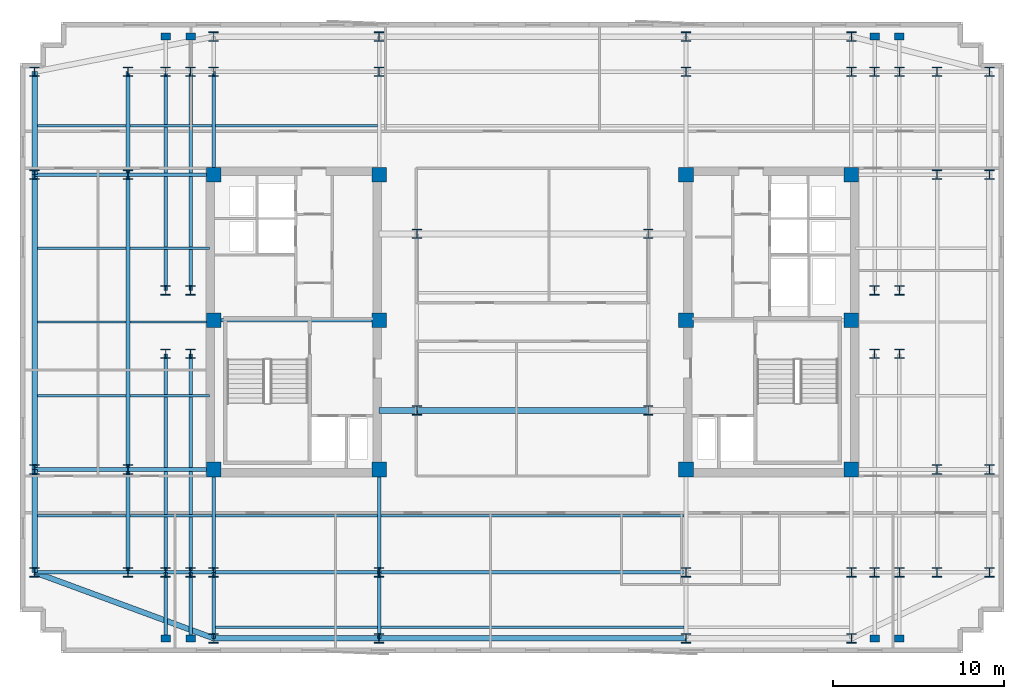
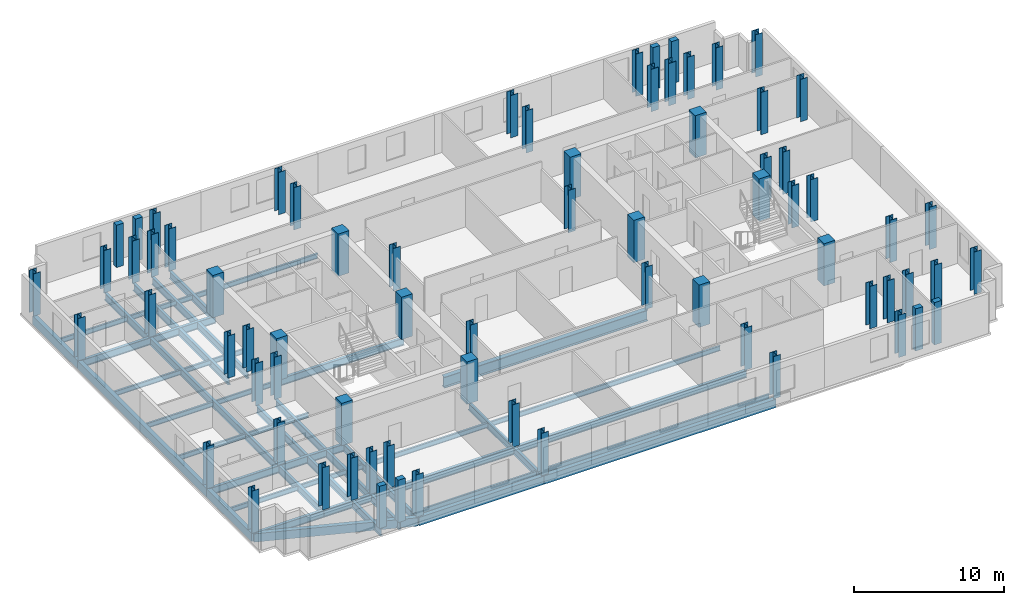
# One storey, part 1 of 9: 72 columns, 46 beams.
"""IFC4 building model written with IfcOpenShell, lengths in metres."""

from ifc_helpers import new_model, si_unit, direction, frame, origin, origin_2d, place, context, subcontext, project, spatial, rectangle, i_section, extrude, material, material_profile, profile_set, type_object, element, save


model = new_model("IFC4")

# Units and contexts
model_context = context("Model", 3, precision=1e-05, world=origin(), true_north=direction((0.0, 1.0)))
body_context = subcontext(model_context, "Body", "Model", "MODEL_VIEW")
ifc_project = project(units=[si_unit("LENGTHUNIT", "METRE"), si_unit("AREAUNIT", "SQUARE_METRE"), si_unit("VOLUMEUNIT", "CUBIC_METRE"), si_unit("PLANEANGLEUNIT", "RADIAN"), si_unit("MASSUNIT", "GRAM", prefix="KILO")], contexts=[model_context])

# Site, building, storey
site_placement = place(None, origin())
site = spatial("IfcSite", under=ifc_project, at=site_placement, CompositionType="ELEMENT")
building_placement = place(site_placement, origin())
building = spatial("IfcBuilding", under=site, at=building_placement, Name="Velakula Bourse", CompositionType="ELEMENT")
storey_placement = place(building_placement, frame((0.0, 0.0, 218.85009765625)))
storey = spatial("IfcBuildingStorey", under=building, at=storey_placement, Name="L59", CompositionType="ELEMENT", Elevation=218.85009765625)

# Columns
ifc_material_1 = material(Name="Concrete M50 (fck 50 MPa)", Category="concrete")
ifc_material_profile_1 = material_profile(ifc_material_1, rectangle(XDim=0.85009765625, YDim=0.85009765625, at=origin_2d()), Name="Concrete M50 (fck 50 MPa)")
ifc_profile_set_1 = profile_set([ifc_material_profile_1], Name="Concrete M50 (fck 50 MPa)")
column_type_1 = type_object("IfcColumnType", Name="COL-RC-850", PredefinedType="COLUMN", material=ifc_profile_set_1)
for number, where, z_axis, x_axis, name in (
    (1, (-8.949951171875, -8.60009765625, 0.0), (0.0, 0.0, 1.0), (1.0, 0.0, 0.0), "L59 Core Boundary Column 01"),
    (2, (-8.949951171875, 0.10009765625, 0.0), (0.0, 0.0, 1.0), (1.0, 0.0, 0.0), "L59 Core Boundary Column 02"),
    (3, (-8.949951171875, 8.60009765625, 0.0), (0.0, 0.0, 1.0), (1.0, 0.0, 0.0), "L59 Core Boundary Column 03"),
    (4, (-18.60009765625, -8.60009765625, 0.0), (0.0, 0.0, 1.0), (1.0, 0.0, 0.0), "L59 Core Boundary Column 04"),
    (5, (-18.60009765625, 0.10009765625, 0.0), (0.0, 0.0, 1.0), (1.0, 0.0, 0.0), "L59 Core Boundary Column 05"),
    (6, (-18.60009765625, 8.60009765625, 0.0), (0.0, 0.0, 1.0), (1.0, 0.0, 0.0), "L59 Core Boundary Column 06"),
    (7, (8.949951171875, -8.60009765625, 0.0), (0.0, 0.0, 1.0), (1.0, 0.0, 0.0), "L59 Core Boundary Column 07"),
    (8, (8.949951171875, 0.10009765625, 0.0), (0.0, 0.0, 1.0), (1.0, 0.0, 0.0), "L59 Core Boundary Column 08"),
    (9, (8.949951171875, 8.60009765625, 0.0), (0.0, 0.0, 1.0), (1.0, 0.0, 0.0), "L59 Core Boundary Column 09"),
    (10, (18.60009765625, -8.60009765625, 0.0), (0.0, 0.0, 1.0), (1.0, 0.0, 0.0), "L59 Core Boundary Column 10"),
    (11, (18.60009765625, 0.10009765625, 0.0), (0.0, 0.0, 1.0), (1.0, 0.0, 0.0), "L59 Core Boundary Column 11"),
    (12, (18.60009765625, 8.60009765625, 0.0), (0.0, 0.0, 1.0), (1.0, 0.0, 0.0), "L59 Core Boundary Column 12"),
):
    element("IfcColumn", number, at=place(storey_placement, frame(where, z_axis=z_axis, x_axis=x_axis)), inside=storey, type_object=column_type_1, Name=name, PredefinedType="COLUMN", context=body_context, shape_type="SweptSolid", body=[
        extrude(rectangle(XDim=0.85009765625, YDim=0.85009765625, at=origin_2d()), origin(), (0.0, 0.0, 1.0), 3.449951171875),
    ])
ifc_material_2 = material(Name="Steel IS 2062 Grade 350 (E350)", Category="steel")
ifc_material_profile_2 = material_profile(ifc_material_2, i_section(OverallWidth=0.550048828125, OverallDepth=0.550048828125, WebThickness=0.02392578125, FlangeThickness=0.035888671875, at=origin_2d()), Name="Steel IS 2062 Grade 350 (E350)")
ifc_profile_set_2 = profile_set([ifc_material_profile_2], Name="Steel IS 2062 Grade 350 (E350)")
column_type_2 = type_object("IfcColumnType", Name="COL-STL-550", PredefinedType="COLUMN", material=ifc_profile_set_2)
for number, where, z_axis, x_axis, name in (
    (13, (-6.75, -5.14990234375, 0.0), (0.0, 0.0, 1.0), (1.0, 0.0, 0.0), "L59 Central Spine Column 01"),
    (14, (-6.75, 5.14990234375, 0.0), (0.0, 0.0, 1.0), (1.0, 0.0, 0.0), "L59 Central Spine Column 02"),
    (15, (6.75, -5.14990234375, 0.0), (0.0, 0.0, 1.0), (1.0, 0.0, 0.0), "L59 Central Spine Column 03"),
    (16, (6.75, 5.14990234375, 0.0), (0.0, 0.0, 1.0), (1.0, 0.0, 0.0), "L59 Central Spine Column 04"),
    (17, (-21.39990234375, -14.60009765625, 0.0), (0.0, 0.0, 1.0), (1.0, 0.0, 0.0), "L59 Tower Fulcrum Column 01"),
    (18, (-21.39990234375, 14.60009765625, 0.0), (0.0, 0.0, 1.0), (1.0, 0.0, 0.0), "L59 Tower Fulcrum Column 02"),
    (19, (-19.949951171875, -14.60009765625, 0.0), (0.0, 0.0, 1.0), (1.0, 0.0, 0.0), "L59 Tower Fulcrum Column 03"),
    (20, (-19.949951171875, 14.60009765625, 0.0), (0.0, 0.0, 1.0), (1.0, 0.0, 0.0), "L59 Tower Fulcrum Column 04"),
    (21, (-18.60009765625, -14.60009765625, 0.0), (0.0, 0.0, 1.0), (1.0, 0.0, 0.0), "L59 Tower Fulcrum Column 05"),
    (22, (-18.60009765625, 14.60009765625, 0.0), (0.0, 0.0, 1.0), (1.0, 0.0, 0.0), "L59 Tower Fulcrum Column 06"),
    (23, (-8.949951171875, -14.60009765625, 0.0), (0.0, 0.0, 1.0), (1.0, 0.0, 0.0), "L59 Tower Fulcrum Column 07"),
    (24, (-8.949951171875, 14.60009765625, 0.0), (0.0, 0.0, 1.0), (1.0, 0.0, 0.0), "L59 Tower Fulcrum Column 08"),
    (25, (8.949951171875, -14.60009765625, 0.0), (0.0, 0.0, 1.0), (1.0, 0.0, 0.0), "L59 Tower Fulcrum Column 09"),
    (26, (8.949951171875, 14.60009765625, 0.0), (0.0, 0.0, 1.0), (1.0, 0.0, 0.0), "L59 Tower Fulcrum Column 10"),
    (27, (18.60009765625, -14.60009765625, 0.0), (0.0, 0.0, 1.0), (1.0, 0.0, 0.0), "L59 Tower Fulcrum Column 11"),
    (28, (18.60009765625, 14.60009765625, 0.0), (0.0, 0.0, 1.0), (1.0, 0.0, 0.0), "L59 Tower Fulcrum Column 12"),
    (29, (19.949951171875, -14.60009765625, 0.0), (0.0, 0.0, 1.0), (1.0, 0.0, 0.0), "L59 Tower Fulcrum Column 13"),
    (30, (19.949951171875, 14.60009765625, 0.0), (0.0, 0.0, 1.0), (1.0, 0.0, 0.0), "L59 Tower Fulcrum Column 14"),
    (31, (21.39990234375, -14.60009765625, 0.0), (0.0, 0.0, 1.0), (1.0, 0.0, 0.0), "L59 Tower Fulcrum Column 15"),
    (32, (21.39990234375, 14.60009765625, 0.0), (0.0, 0.0, 1.0), (1.0, 0.0, 0.0), "L59 Tower Fulcrum Column 16"),
    (33, (-21.39990234375, -1.85009765625, 0.0), (0.0, 0.0, 1.0), (1.0, 0.0, 0.0), "L59 Tower Fulcrum Column 17"),
    (34, (-21.39990234375, 1.85009765625, 0.0), (0.0, 0.0, 1.0), (1.0, 0.0, 0.0), "L59 Tower Fulcrum Column 18"),
    (35, (-19.949951171875, -1.85009765625, 0.0), (0.0, 0.0, 1.0), (1.0, 0.0, 0.0), "L59 Tower Fulcrum Column 19"),
    (36, (-19.949951171875, 1.85009765625, 0.0), (0.0, 0.0, 1.0), (1.0, 0.0, 0.0), "L59 Tower Fulcrum Column 20"),
    (37, (19.949951171875, -1.85009765625, 0.0), (0.0, 0.0, 1.0), (1.0, 0.0, 0.0), "L59 Tower Fulcrum Column 21"),
    (38, (19.949951171875, 1.85009765625, 0.0), (0.0, 0.0, 1.0), (1.0, 0.0, 0.0), "L59 Tower Fulcrum Column 22"),
    (39, (21.39990234375, -1.85009765625, 0.0), (0.0, 0.0, 1.0), (1.0, 0.0, 0.0), "L59 Tower Fulcrum Column 23"),
    (40, (21.39990234375, 1.85009765625, 0.0), (0.0, 0.0, 1.0), (1.0, 0.0, 0.0), "L59 Tower Fulcrum Column 24"),
    (41, (-23.60009765625, -14.60009765625, 0.0), (0.0, 0.0, 1.0), (1.0, 0.0, 0.0), "L59 Mid-Wing Plumb Column 01"),
    (42, (-23.60009765625, -8.60009765625, 0.0), (0.0, 0.0, 1.0), (1.0, 0.0, 0.0), "L59 Mid-Wing Plumb Column 02"),
    (43, (-23.60009765625, 8.60009765625, 0.0), (0.0, 0.0, 1.0), (1.0, 0.0, 0.0), "L59 Mid-Wing Plumb Column 03"),
    (44, (-23.60009765625, 14.60009765625, 0.0), (0.0, 0.0, 1.0), (1.0, 0.0, 0.0), "L59 Mid-Wing Plumb Column 04"),
    (45, (23.60009765625, -14.60009765625, 0.0), (0.0, 0.0, 1.0), (1.0, 0.0, 0.0), "L59 Mid-Wing Plumb Column 05"),
    (46, (23.60009765625, -8.60009765625, 0.0), (0.0, 0.0, 1.0), (1.0, 0.0, 0.0), "L59 Mid-Wing Plumb Column 06"),
    (47, (23.60009765625, 8.60009765625, 0.0), (0.0, 0.0, 1.0), (1.0, 0.0, 0.0), "L59 Mid-Wing Plumb Column 07"),
    (48, (23.60009765625, 14.60009765625, 0.0), (0.0, 0.0, 1.0), (1.0, 0.0, 0.0), "L59 Mid-Wing Plumb Column 08"),
    (49, (-18.60009765625, -18.449951171875, 0.0), (0.0, 0.0, 1.0), (1.0, 0.0, 0.0), "L59 Block B5 Perimeter Column S1"),
    (50, (-8.949951171875, -18.449951171875, 0.0), (0.0, 0.0, 1.0), (1.0, 0.0, 0.0), "L59 Block B5 Perimeter Column S2"),
    (51, (8.949951171875, -18.449951171875, 0.0), (0.0, 0.0, 1.0), (1.0, 0.0, 0.0), "L59 Block B5 Perimeter Column S3"),
    (52, (18.60009765625, -18.449951171875, 0.0), (0.0, 0.0, 1.0), (1.0, 0.0, 0.0), "L59 Block B5 Perimeter Column S4"),
    (53, (-18.60009765625, 16.64990234375, 0.0), (0.0, 0.0, 1.0), (1.0, 0.0, 0.0), "L59 Block B5 Perimeter Column N1"),
    (54, (-8.949951171875, 16.64990234375, 0.0), (0.0, 0.0, 1.0), (1.0, 0.0, 0.0), "L59 Block B5 Perimeter Column N2"),
    (55, (8.949951171875, 16.64990234375, 0.0), (0.0, 0.0, 1.0), (1.0, 0.0, 0.0), "L59 Block B5 Perimeter Column N3"),
    (56, (18.60009765625, 16.64990234375, 0.0), (0.0, 0.0, 1.0), (1.0, 0.0, 0.0), "L59 Block B5 Perimeter Column N4"),
    (57, (-29.050048828125, -14.60009765625, 0.0), (0.0, 0.0, 1.0), (1.0, 0.0, 0.0), "L59 Block B5 Perimeter Column W1"),
    (58, (-29.050048828125, -8.60009765625, 0.0), (0.0, 0.0, 1.0), (1.0, 0.0, 0.0), "L59 Block B5 Perimeter Column W2"),
    (59, (-29.050048828125, 8.60009765625, 0.0), (0.0, 0.0, 1.0), (1.0, 0.0, 0.0), "L59 Block B5 Perimeter Column W3"),
    (60, (-29.050048828125, 14.60009765625, 0.0), (0.0, 0.0, 1.0), (1.0, 0.0, 0.0), "L59 Block B5 Perimeter Column W4"),
    (61, (26.64990234375, -14.60009765625, 0.0), (0.0, 0.0, 1.0), (1.0, 0.0, 0.0), "L59 Block B5 Perimeter Column E1"),
    (62, (26.64990234375, -8.60009765625, 0.0), (0.0, 0.0, 1.0), (1.0, 0.0, 0.0), "L59 Block B5 Perimeter Column E2"),
    (63, (26.64990234375, 8.60009765625, 0.0), (0.0, 0.0, 1.0), (1.0, 0.0, 0.0), "L59 Block B5 Perimeter Column E3"),
    (64, (26.64990234375, 14.60009765625, 0.0), (0.0, 0.0, 1.0), (1.0, 0.0, 0.0), "L59 Block B5 Perimeter Column E4"),
):
    element("IfcColumn", number, at=place(storey_placement, frame(where, z_axis=z_axis, x_axis=x_axis)), inside=storey, type_object=column_type_2, Name=name, PredefinedType="COLUMN", context=body_context, shape_type="SweptSolid", body=[
        extrude(i_section(OverallWidth=0.550048828125, OverallDepth=0.550048828125, WebThickness=0.02392578125, FlangeThickness=0.035888671875, at=origin_2d()), origin(), (0.0, 0.0, 1.0), 3.449951171875),
    ])
ifc_material_3 = material(Name="Precast concrete M45 (fck 45 MPa)", Category="concrete")
ifc_material_profile_3 = material_profile(ifc_material_3, rectangle(XDim=0.550048828125, YDim=0.39990234375, at=origin_2d()), Name="Precast concrete M45 (fck 45 MPa)")
ifc_profile_set_3 = profile_set([ifc_material_profile_3], Name="Precast concrete M45 (fck 45 MPa)")
column_type_3 = type_object("IfcColumnType", Name="PIL-BRICK-550", PredefinedType="PILASTER", material=ifc_profile_set_3)
for number, where, z_axis, x_axis, name in (
    (65, (-21.39990234375, -18.449951171875, 0.0), (0.0, 0.0, 1.0), (1.0, 0.0, 0.0), "L59 Brick Pier Pilaster 01"),
    (66, (-19.949951171875, -18.449951171875, 0.0), (0.0, 0.0, 1.0), (1.0, 0.0, 0.0), "L59 Brick Pier Pilaster 02"),
    (67, (19.949951171875, -18.449951171875, 0.0), (0.0, 0.0, 1.0), (1.0, 0.0, 0.0), "L59 Brick Pier Pilaster 03"),
    (68, (21.39990234375, -18.449951171875, 0.0), (0.0, 0.0, 1.0), (1.0, 0.0, 0.0), "L59 Brick Pier Pilaster 04"),
    (69, (-21.39990234375, 16.64990234375, 0.0), (0.0, 0.0, 1.0), (1.0, 0.0, 0.0), "L59 Brick Pier Pilaster 05"),
    (70, (-19.949951171875, 16.64990234375, 0.0), (0.0, 0.0, 1.0), (1.0, 0.0, 0.0), "L59 Brick Pier Pilaster 06"),
    (71, (19.949951171875, 16.64990234375, 0.0), (0.0, 0.0, 1.0), (1.0, 0.0, 0.0), "L59 Brick Pier Pilaster 07"),
    (72, (21.39990234375, 16.64990234375, 0.0), (0.0, 0.0, 1.0), (1.0, 0.0, 0.0), "L59 Brick Pier Pilaster 08"),
):
    element("IfcColumn", number, at=place(storey_placement, frame(where, z_axis=z_axis, x_axis=x_axis)), inside=storey, type_object=column_type_3, Name=name, PredefinedType="PILASTER", context=body_context, shape_type="SweptSolid", body=[
        extrude(rectangle(XDim=0.550048828125, YDim=0.39990234375, at=origin_2d()), origin(), (0.0, 0.0, 1.0), 3.449951171875),
    ])

# Beams
ifc_material_profile_4 = material_profile(ifc_material_2, i_section(OverallWidth=0.2099609375, OverallDepth=0.60009765625, WebThickness=0.011962890625, FlangeThickness=0.020751953125, at=origin_2d()), Name="Steel IS 2062 Grade 350 (E350)")
ifc_profile_set_4 = profile_set([ifc_material_profile_4], Name="Steel IS 2062 Grade 350 (E350)")
beam_type_1 = type_object("IfcBeamType", Name="BM-GRD-600L", PredefinedType="BEAM", material=ifc_profile_set_4)
beam_1_placement = place(storey_placement, frame((-18.60009765625, 0.10009765625, -0.47998046875), z_axis=(1.0, 0.0, 0.0), x_axis=(0.0, 1.0, 0.0)))
element("IfcBeam", 73, at=beam_1_placement, inside=storey, type_object=beam_type_1, Name="L59 Primary Backbone Girder CRW-M", PredefinedType="BEAM", context=body_context, shape_type="SweptSolid", body=[
    extrude(i_section(OverallWidth=0.2099609375, OverallDepth=0.60009765625, WebThickness=0.011962890625, FlangeThickness=0.020751953125, at=origin_2d()), origin(), (0.0, 0.0, 1.0), 9.650146484375),
])
for number, where, z_axis, x_axis, name in (
    (74, (-18.60009765625, -14.60009765625, -0.47998046875), (0.0, 1.0, 0.0), (-1.0, 0.0, 0.0), "L59 Fulcrum Grid Girder FLC-WS"),
    (75, (-18.60009765625, 8.60009765625, -0.47998046875), (0.0, 1.0, 0.0), (-1.0, 0.0, 0.0), "L59 Fulcrum Grid Girder FLC-WN"),
    (76, (-8.949951171875, -14.60009765625, -0.47998046875), (0.0, 1.0, 0.0), (-1.0, 0.0, 0.0), "L59 Fulcrum Grid Girder FLC-WCS"),
):
    element("IfcBeam", number, at=place(storey_placement, frame(where, z_axis=z_axis, x_axis=x_axis)), inside=storey, type_object=beam_type_1, Name=name, PredefinedType="BEAM", context=body_context, shape_type="SweptSolid", body=[
        extrude(i_section(OverallWidth=0.2099609375, OverallDepth=0.60009765625, WebThickness=0.011962890625, FlangeThickness=0.020751953125, at=origin_2d()), origin(), (0.0, 0.0, 1.0), 6.0),
    ])
beam_2_placement = place(storey_placement, frame((-18.60009765625, -14.60009765625, -0.47998046875), z_axis=(1.0, 0.0, 0.0), x_axis=(0.0, 1.0, 0.0)))
element("IfcBeam", 77, at=beam_2_placement, inside=storey, type_object=beam_type_1, Name="L59 Fulcrum Grid Girder FLC-S1", PredefinedType="BEAM", context=body_context, shape_type="SweptSolid", body=[
    extrude(i_section(OverallWidth=0.2099609375, OverallDepth=0.60009765625, WebThickness=0.011962890625, FlangeThickness=0.020751953125, at=origin_2d()), origin(), (0.0, 0.0, 1.0), 9.650146484375),
])
beam_3_placement = place(storey_placement, frame((-8.949951171875, -14.60009765625, -0.47998046875), z_axis=(1.0, 0.0, 0.0), x_axis=(0.0, 1.0, 0.0)))
element("IfcBeam", 78, at=beam_3_placement, inside=storey, type_object=beam_type_1, Name="L59 Fulcrum Grid Girder FLC-S2", PredefinedType="BEAM", context=body_context, shape_type="SweptSolid", body=[
    extrude(i_section(OverallWidth=0.2099609375, OverallDepth=0.60009765625, WebThickness=0.011962890625, FlangeThickness=0.020751953125, at=origin_2d()), origin(), (0.0, 0.0, 1.0), 17.89990234375),
])
for number, where, z_axis, x_axis, name in (
    (79, (-21.39990234375, -14.60009765625, -0.47998046875), (0.0, 1.0, 0.0), (-1.0, 0.0, 0.0), "L59 Fulcrum Grid Girder FLC-PSW1"),
    (80, (-21.39990234375, 1.85009765625, -0.47998046875), (0.0, 1.0, 0.0), (-1.0, 0.0, 0.0), "L59 Fulcrum Grid Girder FLC-PNW1"),
    (81, (-19.949951171875, -14.60009765625, -0.47998046875), (0.0, 1.0, 0.0), (-1.0, 0.0, 0.0), "L59 Fulcrum Grid Girder FLC-PSW2"),
    (82, (-19.949951171875, 1.85009765625, -0.47998046875), (0.0, 1.0, 0.0), (-1.0, 0.0, 0.0), "L59 Fulcrum Grid Girder FLC-PNW2"),
):
    element("IfcBeam", number, at=place(storey_placement, frame(where, z_axis=z_axis, x_axis=x_axis)), inside=storey, type_object=beam_type_1, Name=name, PredefinedType="BEAM", context=body_context, shape_type="SweptSolid", body=[
        extrude(i_section(OverallWidth=0.2099609375, OverallDepth=0.60009765625, WebThickness=0.011962890625, FlangeThickness=0.020751953125, at=origin_2d()), origin(), (0.0, 0.0, 1.0), 12.75),
    ])
for number, where, z_axis, x_axis, name in (
    (83, (-23.60009765625, -14.60009765625, -0.47998046875), (1.0, 0.0, 0.0), (0.0, 1.0, 0.0), "L59 Fulcrum Grid Girder MWG-WS1"),
    (84, (-23.60009765625, -8.60009765625, -0.47998046875), (1.0, 0.0, 0.0), (0.0, 1.0, 0.0), "L59 Fulcrum Grid Girder MWG-WS2"),
    (85, (-23.60009765625, 8.60009765625, -0.47998046875), (1.0, 0.0, 0.0), (0.0, 1.0, 0.0), "L59 Fulcrum Grid Girder MWG-WN1"),
):
    element("IfcBeam", number, at=place(storey_placement, frame(where, z_axis=z_axis, x_axis=x_axis)), inside=storey, type_object=beam_type_1, Name=name, PredefinedType="BEAM", context=body_context, shape_type="SweptSolid", body=[
        extrude(i_section(OverallWidth=0.2099609375, OverallDepth=0.60009765625, WebThickness=0.011962890625, FlangeThickness=0.020751953125, at=origin_2d()), origin(), (0.0, 0.0, 1.0), 5.0),
    ])
beam_4_placement = place(storey_placement, frame((-23.60009765625, -14.60009765625, -0.47998046875), z_axis=(0.0, 1.0, 0.0), x_axis=(-1.0, 0.0, 0.0)))
element("IfcBeam", 86, at=beam_4_placement, inside=storey, type_object=beam_type_1, Name="L59 Fulcrum Grid Girder MWG-WNS1", PredefinedType="BEAM", context=body_context, shape_type="SweptSolid", body=[
    extrude(i_section(OverallWidth=0.2099609375, OverallDepth=0.60009765625, WebThickness=0.011962890625, FlangeThickness=0.020751953125, at=origin_2d()), origin(), (0.0, 0.0, 1.0), 6.0),
])
beam_5_placement = place(storey_placement, frame((-23.60009765625, -8.60009765625, -0.47998046875), z_axis=(0.0, 1.0, 0.0), x_axis=(-1.0, 0.0, 0.0)))
element("IfcBeam", 87, at=beam_5_placement, inside=storey, type_object=beam_type_1, Name="L59 Fulcrum Grid Girder MWG-WNS2", PredefinedType="BEAM", context=body_context, shape_type="SweptSolid", body=[
    extrude(i_section(OverallWidth=0.2099609375, OverallDepth=0.60009765625, WebThickness=0.011962890625, FlangeThickness=0.020751953125, at=origin_2d()), origin(), (0.0, 0.0, 1.0), 17.2001953125),
])
beam_6_placement = place(storey_placement, frame((-23.60009765625, 8.60009765625, -0.47998046875), z_axis=(0.0, 1.0, 0.0), x_axis=(-1.0, 0.0, 0.0)))
element("IfcBeam", 88, at=beam_6_placement, inside=storey, type_object=beam_type_1, Name="L59 Fulcrum Grid Girder MWG-WNS3", PredefinedType="BEAM", context=body_context, shape_type="SweptSolid", body=[
    extrude(i_section(OverallWidth=0.2099609375, OverallDepth=0.60009765625, WebThickness=0.011962890625, FlangeThickness=0.020751953125, at=origin_2d()), origin(), (0.0, 0.0, 1.0), 6.0),
])
for number, where, z_axis, x_axis, name in (
    (89, (-18.60009765625, -14.60009765625, -0.47998046875), (0.0, -1.0, 0.0), (1.0, 0.0, 0.0), "L59 Perimeter Tie Girder S1"),
    (90, (-8.949951171875, -14.60009765625, -0.47998046875), (0.0, -1.0, 0.0), (1.0, 0.0, 0.0), "L59 Perimeter Tie Girder S2"),
):
    element("IfcBeam", number, at=place(storey_placement, frame(where, z_axis=z_axis, x_axis=x_axis)), inside=storey, type_object=beam_type_1, Name=name, PredefinedType="BEAM", context=body_context, shape_type="SweptSolid", body=[
        extrude(i_section(OverallWidth=0.2099609375, OverallDepth=0.60009765625, WebThickness=0.011962890625, FlangeThickness=0.020751953125, at=origin_2d()), origin(), (0.0, 0.0, 1.0), 3.849853515625),
    ])
for number, where, z_axis, x_axis, name in (
    (91, (-23.60009765625, -14.60009765625, -0.47998046875), (-1.0, 0.0, 0.0), (0.0, -1.0, 0.0), "L59 Perimeter Tie Girder W1"),
    (92, (-23.60009765625, -8.60009765625, -0.47998046875), (-1.0, 0.0, 0.0), (0.0, -1.0, 0.0), "L59 Perimeter Tie Girder W2"),
    (93, (-23.60009765625, 8.60009765625, -0.47998046875), (-1.0, 0.0, 0.0), (0.0, -1.0, 0.0), "L59 Perimeter Tie Girder W3"),
):
    element("IfcBeam", number, at=place(storey_placement, frame(where, z_axis=z_axis, x_axis=x_axis)), inside=storey, type_object=beam_type_1, Name=name, PredefinedType="BEAM", context=body_context, shape_type="SweptSolid", body=[
        extrude(i_section(OverallWidth=0.2099609375, OverallDepth=0.60009765625, WebThickness=0.011962890625, FlangeThickness=0.020751953125, at=origin_2d()), origin(), (0.0, 0.0, 1.0), 5.449951171875),
    ])
for number, where, z_axis, x_axis, name in (
    (94, (-21.39990234375, -14.60009765625, -0.47998046875), (0.0, -1.0, 0.0), (1.0, 0.0, 0.0), "L59 Perimeter Tie Girder P01"),
    (95, (-19.949951171875, -14.60009765625, -0.47998046875), (0.0, -1.0, 0.0), (1.0, 0.0, 0.0), "L59 Perimeter Tie Girder P02"),
):
    element("IfcBeam", number, at=place(storey_placement, frame(where, z_axis=z_axis, x_axis=x_axis)), inside=storey, type_object=beam_type_1, Name=name, PredefinedType="BEAM", context=body_context, shape_type="SweptSolid", body=[
        extrude(i_section(OverallWidth=0.2099609375, OverallDepth=0.60009765625, WebThickness=0.011962890625, FlangeThickness=0.020751953125, at=origin_2d()), origin(), (0.0, 0.0, 1.0), 3.849853515625),
    ])
ifc_material_profile_5 = material_profile(ifc_material_2, i_section(OverallWidth=0.35009765625, OverallDepth=0.89990234375, WebThickness=0.02001953125, FlangeThickness=0.031982421875, at=origin_2d()), Name="Steel IS 2062 Grade 350 (E350)")
ifc_profile_set_5 = profile_set([ifc_material_profile_5], Name="Steel IS 2062 Grade 350 (E350)")
beam_type_2 = type_object("IfcBeamType", Name="BM-LNK-900", PredefinedType="BEAM", material=ifc_profile_set_5)
beam_7_placement = place(storey_placement, frame((-8.949951171875, -5.14990234375, -0.630126953125), z_axis=(1.0, 0.0, 0.0), x_axis=(0.0, 1.0, 0.0)))
element("IfcBeam", 96, at=beam_7_placement, inside=storey, type_object=beam_type_2, Name="L59 Primary Backbone Girder LNK-S1", PredefinedType="BEAM", context=body_context, shape_type="SweptSolid", body=[
    extrude(i_section(OverallWidth=0.35009765625, OverallDepth=0.89990234375, WebThickness=0.02001953125, FlangeThickness=0.031982421875, at=origin_2d()), origin(), (0.0, 0.0, 1.0), 2.199951171875),
])
beam_8_placement = place(storey_placement, frame((-6.75, -5.14990234375, -0.630126953125), z_axis=(1.0, 0.0, 0.0), x_axis=(0.0, 1.0, 0.0)))
element("IfcBeam", 97, at=beam_8_placement, inside=storey, type_object=beam_type_2, Name="L59 Primary Backbone Girder LNK-S2", PredefinedType="BEAM", context=body_context, shape_type="SweptSolid", body=[
    extrude(i_section(OverallWidth=0.35009765625, OverallDepth=0.89990234375, WebThickness=0.02001953125, FlangeThickness=0.031982421875, at=origin_2d()), origin(), (0.0, 0.0, 1.0), 13.5),
])
ifc_material_profile_6 = material_profile(ifc_material_2, i_section(OverallWidth=0.139892578125, OverallDepth=0.39990234375, WebThickness=0.0087890625, FlangeThickness=0.01611328125, at=origin_2d()), Name="Steel IS 2062 Grade 350 (E350)")
ifc_profile_set_6 = profile_set([ifc_material_profile_6], Name="Steel IS 2062 Grade 350 (E350)")
beam_type_3 = type_object("IfcBeamType", Name="JST-TWR-400", PredefinedType="JOIST", material=ifc_profile_set_6)
beam_9_placement = place(storey_placement, frame((-18.4951171875, -17.800048828125, -0.380126953125), z_axis=(1.0, 0.0, 0.0), x_axis=(0.0, 1.0, 0.0)))
element("IfcBeam", 98, at=beam_9_placement, inside=storey, type_object=beam_type_3, Name="L59 Trading Floor Composite Joist 01", PredefinedType="JOIST", context=body_context, shape_type="SweptSolid", body=[
    extrude(i_section(OverallWidth=0.139892578125, OverallDepth=0.39990234375, WebThickness=0.0087890625, FlangeThickness=0.01611328125, at=origin_2d()), origin(), (0.0, 0.0, 1.0), 9.440185546875),
])
beam_10_placement = place(storey_placement, frame((-8.844970703125, -17.800048828125, -0.380126953125), z_axis=(1.0, 0.0, 0.0), x_axis=(0.0, 1.0, 0.0)))
element("IfcBeam", 99, at=beam_10_placement, inside=storey, type_object=beam_type_3, Name="L59 Trading Floor Composite Joist 02", PredefinedType="JOIST", context=body_context, shape_type="SweptSolid", body=[
    extrude(i_section(OverallWidth=0.139892578125, OverallDepth=0.39990234375, WebThickness=0.0087890625, FlangeThickness=0.01611328125, at=origin_2d()), origin(), (0.0, 0.0, 1.0), 17.68994140625),
])
beam_11_placement = place(storey_placement, frame((-28.889892578125, -11.300048828125, -0.380126953125), z_axis=(1.0, 0.0, 0.0), x_axis=(0.0, 1.0, 0.0)))
element("IfcBeam", 100, at=beam_11_placement, inside=storey, type_object=beam_type_3, Name="L59 Trading Floor Composite Joist 04", PredefinedType="JOIST", context=body_context, shape_type="SweptSolid", body=[
    extrude(i_section(OverallWidth=0.139892578125, OverallDepth=0.39990234375, WebThickness=0.0087890625, FlangeThickness=0.01611328125, at=origin_2d()), origin(), (0.0, 0.0, 1.0), 5.184814453125),
])
beam_12_placement = place(storey_placement, frame((-23.4951171875, -11.300048828125, -0.380126953125), z_axis=(1.0, 0.0, 0.0), x_axis=(0.0, 1.0, 0.0)))
element("IfcBeam", 101, at=beam_12_placement, inside=storey, type_object=beam_type_3, Name="L59 Trading Floor Composite Joist 05", PredefinedType="JOIST", context=body_context, shape_type="SweptSolid", body=[
    extrude(i_section(OverallWidth=0.139892578125, OverallDepth=0.39990234375, WebThickness=0.0087890625, FlangeThickness=0.01611328125, at=origin_2d()), origin(), (0.0, 0.0, 1.0), 4.7900390625),
])
beam_13_placement = place(storey_placement, frame((-18.4951171875, -11.300048828125, -0.380126953125), z_axis=(1.0, 0.0, 0.0), x_axis=(0.0, 1.0, 0.0)))
element("IfcBeam", 102, at=beam_13_placement, inside=storey, type_object=beam_type_3, Name="L59 Trading Floor Composite Joist 06", PredefinedType="JOIST", context=body_context, shape_type="SweptSolid", body=[
    extrude(i_section(OverallWidth=0.139892578125, OverallDepth=0.39990234375, WebThickness=0.0087890625, FlangeThickness=0.01611328125, at=origin_2d()), origin(), (0.0, 0.0, 1.0), 9.440185546875),
])
beam_14_placement = place(storey_placement, frame((-8.844970703125, -11.300048828125, -0.380126953125), z_axis=(1.0, 0.0, 0.0), x_axis=(0.0, 1.0, 0.0)))
element("IfcBeam", 103, at=beam_14_placement, inside=storey, type_object=beam_type_3, Name="L59 Trading Floor Composite Joist 07", PredefinedType="JOIST", context=body_context, shape_type="SweptSolid", body=[
    extrude(i_section(OverallWidth=0.139892578125, OverallDepth=0.39990234375, WebThickness=0.0087890625, FlangeThickness=0.01611328125, at=origin_2d()), origin(), (0.0, 0.0, 1.0), 17.68994140625),
])
beam_15_placement = place(storey_placement, frame((-28.889892578125, 11.449951171875, -0.380126953125), z_axis=(1.0, 0.0, 0.0), x_axis=(0.0, 1.0, 0.0)))
element("IfcBeam", 104, at=beam_15_placement, inside=storey, type_object=beam_type_3, Name="L59 Trading Floor Composite Joist 11", PredefinedType="JOIST", context=body_context, shape_type="SweptSolid", body=[
    extrude(i_section(OverallWidth=0.139892578125, OverallDepth=0.39990234375, WebThickness=0.0087890625, FlangeThickness=0.01611328125, at=origin_2d()), origin(), (0.0, 0.0, 1.0), 5.184814453125),
])
beam_16_placement = place(storey_placement, frame((-23.4951171875, 11.449951171875, -0.380126953125), z_axis=(1.0, 0.0, 0.0), x_axis=(0.0, 1.0, 0.0)))
element("IfcBeam", 105, at=beam_16_placement, inside=storey, type_object=beam_type_3, Name="L59 Trading Floor Composite Joist 12", PredefinedType="JOIST", context=body_context, shape_type="SweptSolid", body=[
    extrude(i_section(OverallWidth=0.139892578125, OverallDepth=0.39990234375, WebThickness=0.0087890625, FlangeThickness=0.01611328125, at=origin_2d()), origin(), (0.0, 0.0, 1.0), 4.7900390625),
])
beam_17_placement = place(storey_placement, frame((-18.4951171875, 11.449951171875, -0.380126953125), z_axis=(1.0, 0.0, 0.0), x_axis=(0.0, 1.0, 0.0)))
element("IfcBeam", 106, at=beam_17_placement, inside=storey, type_object=beam_type_3, Name="L59 Trading Floor Composite Joist 13", PredefinedType="JOIST", context=body_context, shape_type="SweptSolid", body=[
    extrude(i_section(OverallWidth=0.139892578125, OverallDepth=0.39990234375, WebThickness=0.0087890625, FlangeThickness=0.01611328125, at=origin_2d()), origin(), (0.0, 0.0, 1.0), 9.440185546875),
])
beam_18_placement = place(storey_placement, frame((-28.889892578125, -4.300048828125, -0.380126953125), z_axis=(1.0, 0.0, 0.0), x_axis=(0.0, 1.0, 0.0)))
element("IfcBeam", 107, at=beam_18_placement, inside=storey, type_object=beam_type_3, Name="L59 Trading Floor Composite Joist 20", PredefinedType="JOIST", context=body_context, shape_type="SweptSolid", body=[
    extrude(i_section(OverallWidth=0.139892578125, OverallDepth=0.39990234375, WebThickness=0.0087890625, FlangeThickness=0.01611328125, at=origin_2d()), origin(), (0.0, 0.0, 1.0), 5.184814453125),
])
beam_19_placement = place(storey_placement, frame((-23.4951171875, -4.300048828125, -0.380126953125), z_axis=(1.0, 0.0, 0.0), x_axis=(0.0, 1.0, 0.0)))
element("IfcBeam", 108, at=beam_19_placement, inside=storey, type_object=beam_type_3, Name="L59 Trading Floor Composite Joist 21", PredefinedType="JOIST", context=body_context, shape_type="SweptSolid", body=[
    extrude(i_section(OverallWidth=0.139892578125, OverallDepth=0.39990234375, WebThickness=0.0087890625, FlangeThickness=0.01611328125, at=origin_2d()), origin(), (0.0, 0.0, 1.0), 4.64501953125),
])
beam_20_placement = place(storey_placement, frame((-28.889892578125, 0.0, -0.380126953125), z_axis=(1.0, 0.0, 0.0), x_axis=(0.0, 1.0, 0.0)))
element("IfcBeam", 109, at=beam_20_placement, inside=storey, type_object=beam_type_3, Name="L59 Trading Floor Composite Joist 24", PredefinedType="JOIST", context=body_context, shape_type="SweptSolid", body=[
    extrude(i_section(OverallWidth=0.139892578125, OverallDepth=0.39990234375, WebThickness=0.0087890625, FlangeThickness=0.01611328125, at=origin_2d()), origin(), (0.0, 0.0, 1.0), 5.184814453125),
])
beam_21_placement = place(storey_placement, frame((-23.4951171875, 0.0, -0.380126953125), z_axis=(1.0, 0.0, 0.0), x_axis=(0.0, 1.0, 0.0)))
element("IfcBeam", 110, at=beam_21_placement, inside=storey, type_object=beam_type_3, Name="L59 Trading Floor Composite Joist 25", PredefinedType="JOIST", context=body_context, shape_type="SweptSolid", body=[
    extrude(i_section(OverallWidth=0.139892578125, OverallDepth=0.39990234375, WebThickness=0.0087890625, FlangeThickness=0.01611328125, at=origin_2d()), origin(), (0.0, 0.0, 1.0), 4.64501953125),
])
beam_22_placement = place(storey_placement, frame((-28.889892578125, 4.300048828125, -0.380126953125), z_axis=(1.0, 0.0, 0.0), x_axis=(0.0, 1.0, 0.0)))
element("IfcBeam", 111, at=beam_22_placement, inside=storey, type_object=beam_type_3, Name="L59 Trading Floor Composite Joist 28", PredefinedType="JOIST", context=body_context, shape_type="SweptSolid", body=[
    extrude(i_section(OverallWidth=0.139892578125, OverallDepth=0.39990234375, WebThickness=0.0087890625, FlangeThickness=0.01611328125, at=origin_2d()), origin(), (0.0, 0.0, 1.0), 5.184814453125),
])
beam_23_placement = place(storey_placement, frame((-23.4951171875, 4.300048828125, -0.380126953125), z_axis=(1.0, 0.0, 0.0), x_axis=(0.0, 1.0, 0.0)))
element("IfcBeam", 112, at=beam_23_placement, inside=storey, type_object=beam_type_3, Name="L59 Trading Floor Composite Joist 29", PredefinedType="JOIST", context=body_context, shape_type="SweptSolid", body=[
    extrude(i_section(OverallWidth=0.139892578125, OverallDepth=0.39990234375, WebThickness=0.0087890625, FlangeThickness=0.01611328125, at=origin_2d()), origin(), (0.0, 0.0, 1.0), 4.64501953125),
])
ifc_material_profile_7 = material_profile(ifc_material_3, rectangle(XDim=0.320068359375, YDim=0.679931640625, at=origin_2d()), Name="Precast concrete M45 (fck 45 MPa)")
ifc_profile_set_7 = profile_set([ifc_material_profile_7], Name="Precast concrete M45 (fck 45 MPa)")
beam_type_4 = type_object("IfcBeamType", Name="SPN-BRICK-680", PredefinedType="SPANDREL", material=ifc_profile_set_7)
beam_24_placement = place(storey_placement, frame((-18.60009765625, -18.449951171875, -0.52001953125), z_axis=(1.0, 0.0, 0.0), x_axis=(0.0, 1.0, 0.0)))
element("IfcBeam", 113, at=beam_24_placement, inside=storey, type_object=beam_type_4, Name="L59 Brick-Faced Precast Spandrel S1-S2", PredefinedType="SPANDREL", context=body_context, shape_type="SweptSolid", body=[
    extrude(rectangle(XDim=0.320068359375, YDim=0.679931640625, at=origin_2d()), origin(), (0.0, 0.0, 1.0), 9.650146484375),
])
beam_25_placement = place(storey_placement, frame((-8.949951171875, -18.449951171875, -0.52001953125), z_axis=(1.0, 0.0, 0.0), x_axis=(0.0, 1.0, 0.0)))
element("IfcBeam", 114, at=beam_25_placement, inside=storey, type_object=beam_type_4, Name="L59 Brick-Faced Precast Spandrel S2-S3", PredefinedType="SPANDREL", context=body_context, shape_type="SweptSolid", body=[
    extrude(rectangle(XDim=0.320068359375, YDim=0.679931640625, at=origin_2d()), origin(), (0.0, 0.0, 1.0), 17.89990234375),
])
beam_26_placement = place(storey_placement, frame((-29.050048828125, -14.60009765625, -0.52001953125), z_axis=(0.0, 1.0, 0.0), x_axis=(-1.0, 0.0, 0.0)))
element("IfcBeam", 115, at=beam_26_placement, inside=storey, type_object=beam_type_4, Name="L59 Brick-Faced Precast Spandrel W1-W2", PredefinedType="SPANDREL", context=body_context, shape_type="SweptSolid", body=[
    extrude(rectangle(XDim=0.320068359375, YDim=0.679931640625, at=origin_2d()), origin(), (0.0, 0.0, 1.0), 6.0),
])
beam_27_placement = place(storey_placement, frame((-29.050048828125, -8.60009765625, -0.52001953125), z_axis=(0.0, 1.0, 0.0), x_axis=(-1.0, 0.0, 0.0)))
element("IfcBeam", 116, at=beam_27_placement, inside=storey, type_object=beam_type_4, Name="L59 Brick-Faced Precast Spandrel W2-W3", PredefinedType="SPANDREL", context=body_context, shape_type="SweptSolid", body=[
    extrude(rectangle(XDim=0.320068359375, YDim=0.679931640625, at=origin_2d()), origin(), (0.0, 0.0, 1.0), 17.2001953125),
])
beam_28_placement = place(storey_placement, frame((-29.050048828125, 8.60009765625, -0.52001953125), z_axis=(0.0, 1.0, 0.0), x_axis=(-1.0, 0.0, 0.0)))
element("IfcBeam", 117, at=beam_28_placement, inside=storey, type_object=beam_type_4, Name="L59 Brick-Faced Precast Spandrel W3-W4", PredefinedType="SPANDREL", context=body_context, shape_type="SweptSolid", body=[
    extrude(rectangle(XDim=0.320068359375, YDim=0.679931640625, at=origin_2d()), origin(), (0.0, 0.0, 1.0), 6.0),
])
beam_29_placement = place(storey_placement, frame((-29.050048828125, -14.60009765625, -0.52001953125), z_axis=(0.93834685962, -0.34569519962, 0.0), x_axis=(0.34569519962, 0.93834685962, 0.0)))
element("IfcBeam", 118, at=beam_29_placement, inside=storey, type_object=beam_type_4, Name="L59 Brick-Faced Precast Spandrel W1-S1", PredefinedType="SPANDREL", context=body_context, shape_type="SweptSolid", body=[
    extrude(rectangle(XDim=0.320068359375, YDim=0.679931640625, at=origin_2d()), origin(), (0.0, 0.0, 1.0), 11.136474609375),
])

save(model, "model.ifc")
